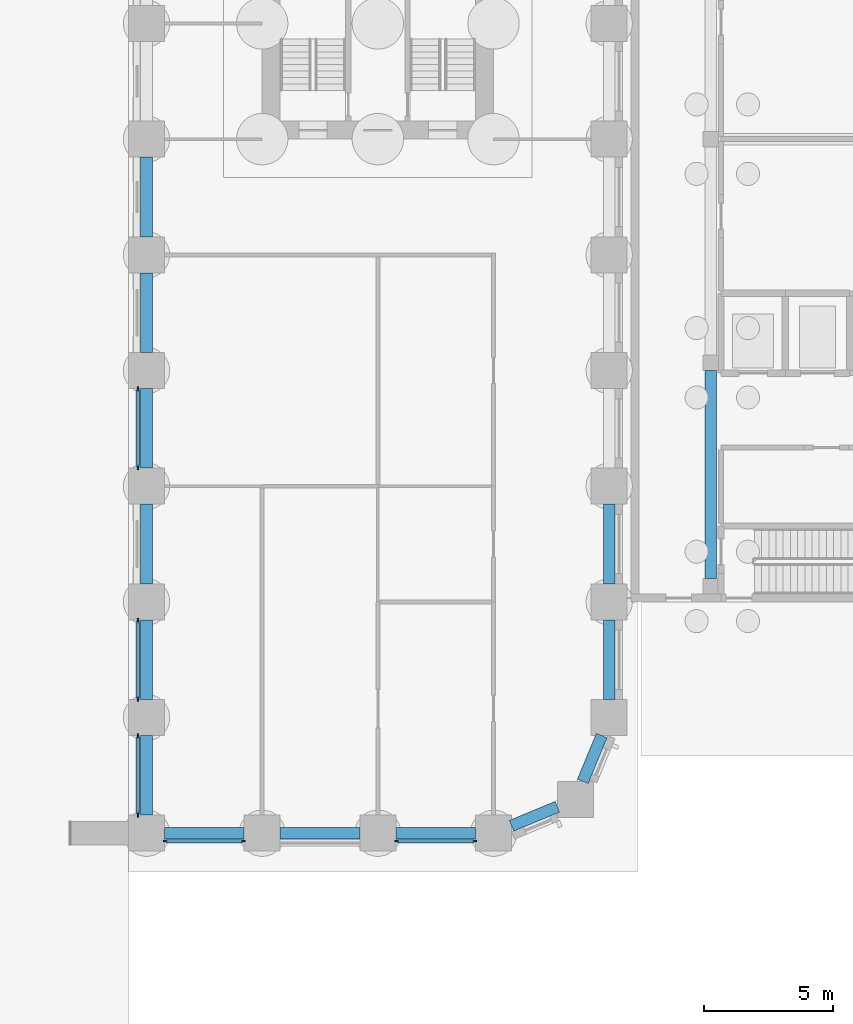
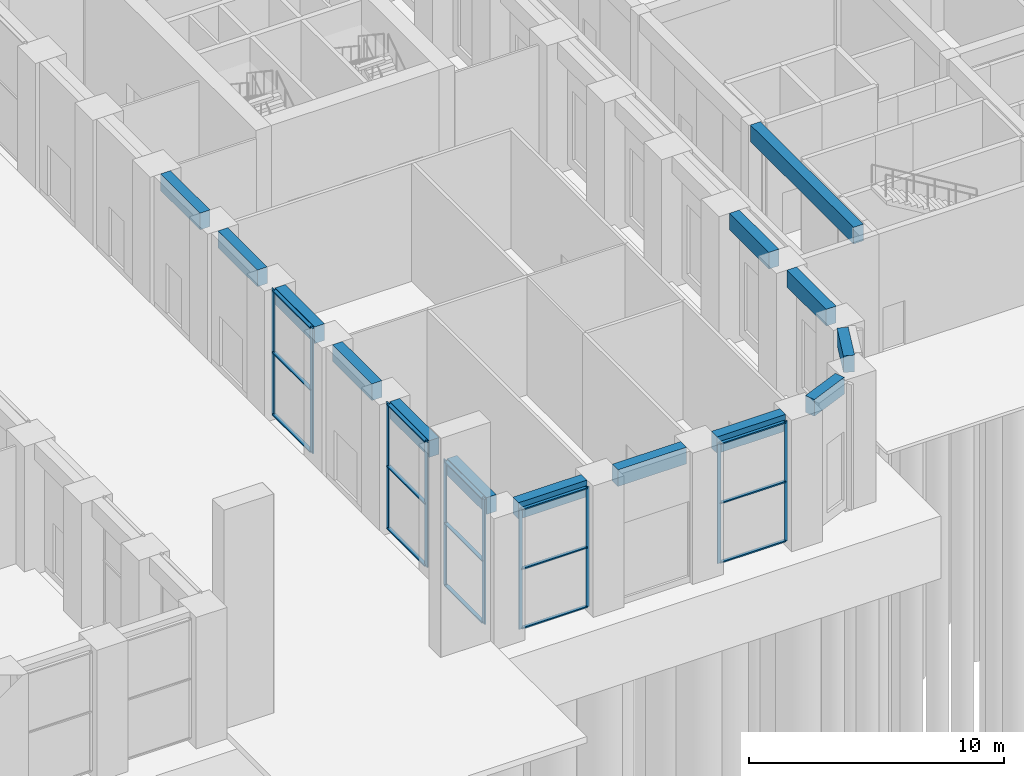
# One storey, part 4 of 31: 25 members, 14 beams, 5 elements without a shape of their own.
"""IFC4 building model written with IfcOpenShell, lengths in metres."""

from ifc_helpers import new_model, si_unit, direction, frame, origin, origin_2d, place, context, subcontext, project, spatial, rectangle, extrude, material, material_profile, profile_set, type_object, element, aggregate, save


model = new_model("IFC4")

# Units and contexts
model_context = context("Model", 3, precision=1e-05, world=origin(), true_north=direction((0.0, 1.0)))
body_context = subcontext(model_context, "Body", "Model", "MODEL_VIEW")
ifc_project = project(units=[si_unit("LENGTHUNIT", "METRE"), si_unit("AREAUNIT", "SQUARE_METRE"), si_unit("VOLUMEUNIT", "CUBIC_METRE"), si_unit("PLANEANGLEUNIT", "RADIAN"), si_unit("MASSUNIT", "GRAM", prefix="KILO")], contexts=[model_context])

# Site, building, storey
site_placement = place(None, origin())
site = spatial("IfcSite", under=ifc_project, at=site_placement, CompositionType="ELEMENT")
building_placement = place(site_placement, origin())
building = spatial("IfcBuilding", under=site, at=building_placement, Name="Girih Gate Residences", CompositionType="ELEMENT")
storey_placement = place(building_placement, origin())
storey = spatial("IfcBuildingStorey", under=building, at=storey_placement, Name="L00", CompositionType="ELEMENT", Elevation=0.0)

# Curtain wall, members
ifc_material_1 = material(Name="Aluminium curtain wall frame", Category="aluminium")
curtain_wall_type_1 = type_object("IfcCurtainWallType", Name="Curtain wall CW-6 street frontage glazing", PredefinedType="NOTDEFINED", material=ifc_material_1)
curtain_wall_1_placement = place(storey_placement, origin())
curtain_wall_1 = element("IfcCurtainWall", 1, at=curtain_wall_1_placement, inside=storey, type_object=curtain_wall_type_1, Name="CW-6 Street frontage glazing S0315_0000.0", PredefinedType="NOTDEFINED")
ifc_material_profile_1 = material_profile(ifc_material_1, rectangle(XDim=0.06005859375, YDim=0.159912109375, at=origin_2d()))
ifc_profile_set_1 = profile_set([ifc_material_profile_1], Name="Aluminium curtain wall frame")
member_type_1 = type_object("IfcMemberType", Name="Curtain wall mullion 60x160", PredefinedType="MULLION", material=ifc_profile_set_1)
member_1_placement = place(storey_placement, frame((32.22998046875, -0.304931640625, 0.0), z_axis=(0.0, 0.0, 1.0), x_axis=(0.0, 1.0, 0.0)))
member_1 = element("IfcMember", 2, at=member_1_placement, type_object=member_type_1, Name="CW-6 mullion 1", PredefinedType="MULLION", context=body_context, shape_type="SweptSolid", body=[
    extrude(rectangle(XDim=0.06005859375, YDim=0.159912109375, at=origin_2d()), origin(), (0.0, 0.0, 1.0), 5.75),
])
member_2_placement = place(storey_placement, frame((35.27001953125, -0.304931640625, 0.0), z_axis=(0.0, 0.0, 1.0), x_axis=(0.0, 1.0, 0.0)))
member_2 = element("IfcMember", 3, at=member_2_placement, type_object=member_type_1, Name="CW-6 mullion 2", PredefinedType="MULLION", context=body_context, shape_type="SweptSolid", body=[
    extrude(rectangle(XDim=0.06005859375, YDim=0.159912109375, at=origin_2d()), origin(), (0.0, 0.0, 1.0), 5.75),
])

curtain_wall_2_placement = place(storey_placement, origin())
curtain_wall_2 = element("IfcCurtainWall", 4, at=curtain_wall_2_placement, inside=storey, type_object=curtain_wall_type_1, Name="CW-6 Street frontage glazing S0315_0000.2", PredefinedType="NOTDEFINED")
member_3_placement = place(storey_placement, frame((41.22998046875, -0.304931640625, 0.0), z_axis=(0.0, 0.0, 1.0), x_axis=(0.0, 1.0, 0.0)))
member_3 = element("IfcMember", 5, at=member_3_placement, type_object=member_type_1, Name="CW-6 mullion 1", PredefinedType="MULLION", context=body_context, shape_type="SweptSolid", body=[
    extrude(rectangle(XDim=0.06005859375, YDim=0.159912109375, at=origin_2d()), origin(), (0.0, 0.0, 1.0), 5.75),
])
member_4_placement = place(storey_placement, frame((44.27001953125, -0.304931640625, 0.0), z_axis=(0.0, 0.0, 1.0), x_axis=(0.0, 1.0, 0.0)))
member_4 = element("IfcMember", 6, at=member_4_placement, type_object=member_type_1, Name="CW-6 mullion 2", PredefinedType="MULLION", context=body_context, shape_type="SweptSolid", body=[
    extrude(rectangle(XDim=0.06005859375, YDim=0.159912109375, at=origin_2d()), origin(), (0.0, 0.0, 1.0), 5.75),
])

curtain_wall_type_2 = type_object("IfcCurtainWallType", Name="Curtain wall CW-1 arcade glazing", PredefinedType="NOTDEFINED", material=ifc_material_1)
curtain_wall_3_placement = place(storey_placement, origin())
curtain_wall_3 = element("IfcCurtainWall", 7, at=curtain_wall_3_placement, inside=storey, type_object=curtain_wall_type_2, Name="CW-1 Arcade glazing W0315_0495.7", PredefinedType="NOTDEFINED")
ifc_material_profile_2 = material_profile(ifc_material_1, rectangle(XDim=0.06005859375, YDim=0.199951171875, at=origin_2d()))
ifc_profile_set_2 = profile_set([ifc_material_profile_2], Name="Aluminium curtain wall frame")
member_type_2 = type_object("IfcMemberType", Name="Curtain wall mullion 60x200", PredefinedType="MULLION", material=ifc_profile_set_2)
member_5_placement = place(storey_placement, frame((31.175048828125, 17.27001953125, 0.0), z_axis=(0.0, 0.0, 1.0), x_axis=(1.0, 0.0, 0.0)))
member_5 = element("IfcMember", 8, at=member_5_placement, type_object=member_type_2, Name="CW-1 mullion 1", PredefinedType="MULLION", context=body_context, shape_type="SweptSolid", body=[
    extrude(rectangle(XDim=0.06005859375, YDim=0.199951171875, at=origin_2d()), origin(), (0.0, 0.0, 1.0), 6.0),
])
member_6_placement = place(storey_placement, frame((31.175048828125, 14.22998046875, 0.0), z_axis=(0.0, 0.0, 1.0), x_axis=(1.0, 0.0, 0.0)))
member_6 = element("IfcMember", 9, at=member_6_placement, type_object=member_type_2, Name="CW-1 mullion 2", PredefinedType="MULLION", context=body_context, shape_type="SweptSolid", body=[
    extrude(rectangle(XDim=0.06005859375, YDim=0.199951171875, at=origin_2d()), origin(), (0.0, 0.0, 1.0), 6.0),
])

curtain_wall_4_placement = place(storey_placement, origin())
curtain_wall_4 = element("IfcCurtainWall", 10, at=curtain_wall_4_placement, inside=storey, type_object=curtain_wall_type_2, Name="CW-1 Arcade glazing W0315_0495.9", PredefinedType="NOTDEFINED")
member_7_placement = place(storey_placement, frame((31.175048828125, 8.27001953125, 0.0), z_axis=(0.0, 0.0, 1.0), x_axis=(1.0, 0.0, 0.0)))
member_7 = element("IfcMember", 11, at=member_7_placement, type_object=member_type_2, Name="CW-1 mullion 1", PredefinedType="MULLION", context=body_context, shape_type="SweptSolid", body=[
    extrude(rectangle(XDim=0.06005859375, YDim=0.199951171875, at=origin_2d()), origin(), (0.0, 0.0, 1.0), 6.0),
])
member_8_placement = place(storey_placement, frame((31.175048828125, 5.22998046875, 0.0), z_axis=(0.0, 0.0, 1.0), x_axis=(1.0, 0.0, 0.0)))
member_8 = element("IfcMember", 12, at=member_8_placement, type_object=member_type_2, Name="CW-1 mullion 2", PredefinedType="MULLION", context=body_context, shape_type="SweptSolid", body=[
    extrude(rectangle(XDim=0.06005859375, YDim=0.199951171875, at=origin_2d()), origin(), (0.0, 0.0, 1.0), 6.0),
])

curtain_wall_5_placement = place(storey_placement, origin())
curtain_wall_5 = element("IfcCurtainWall", 13, at=curtain_wall_5_placement, inside=storey, type_object=curtain_wall_type_2, Name="CW-1 Arcade glazing W0315_0495.10", PredefinedType="NOTDEFINED")
member_9_placement = place(storey_placement, frame((31.175048828125, 3.77001953125, 0.0), z_axis=(0.0, 0.0, 1.0), x_axis=(1.0, 0.0, 0.0)))
member_9 = element("IfcMember", 14, at=member_9_placement, type_object=member_type_2, Name="CW-1 mullion 1", PredefinedType="MULLION", context=body_context, shape_type="SweptSolid", body=[
    extrude(rectangle(XDim=0.06005859375, YDim=0.199951171875, at=origin_2d()), origin(), (0.0, 0.0, 1.0), 6.0),
])
member_10_placement = place(storey_placement, frame((31.175048828125, 0.72998046875, 0.0), z_axis=(0.0, 0.0, 1.0), x_axis=(1.0, 0.0, 0.0)))
member_10 = element("IfcMember", 15, at=member_10_placement, type_object=member_type_2, Name="CW-1 mullion 2", PredefinedType="MULLION", context=body_context, shape_type="SweptSolid", body=[
    extrude(rectangle(XDim=0.06005859375, YDim=0.199951171875, at=origin_2d()), origin(), (0.0, 0.0, 1.0), 6.0),
])

# Member
ifc_material_profile_3 = material_profile(ifc_material_1, rectangle(XDim=0.139892578125, YDim=0.06005859375, at=origin_2d()))
ifc_profile_set_3 = profile_set([ifc_material_profile_3], Name="Aluminium curtain wall frame")
member_type_3 = type_object("IfcMemberType", Name="Curtain wall transom 60x140", PredefinedType="USERDEFINED", material=ifc_profile_set_3)
member_11_placement = place(storey_placement, frame((32.260009765625, -0.304931640625, 0.030029296875), z_axis=(1.0, 0.0, 0.0), x_axis=(0.0, 1.0, 0.0)))
member_11 = element("IfcMember", 16, at=member_11_placement, type_object=member_type_3, Name="CW-6 transom 1.1", ObjectType="TRANSOM", PredefinedType="USERDEFINED", context=body_context, shape_type="SweptSolid", body=[
    extrude(rectangle(XDim=0.139892578125, YDim=0.06005859375, at=origin_2d()), origin(), (0.0, 0.0, 1.0), 2.97998046875),
])

member_12_placement = place(storey_placement, frame((32.260009765625, -0.304931640625, 2.875), z_axis=(1.0, 0.0, 0.0), x_axis=(0.0, 1.0, 0.0)))
member_12 = element("IfcMember", 17, at=member_12_placement, type_object=member_type_3, Name="CW-6 transom 1.2", ObjectType="TRANSOM", PredefinedType="USERDEFINED", context=body_context, shape_type="SweptSolid", body=[
    extrude(rectangle(XDim=0.139892578125, YDim=0.06005859375, at=origin_2d()), origin(), (0.0, 0.0, 1.0), 2.97998046875),
])

member_13_placement = place(storey_placement, frame((32.260009765625, -0.304931640625, 5.719970703125), z_axis=(1.0, 0.0, 0.0), x_axis=(0.0, 1.0, 0.0)))
member_13 = element("IfcMember", 18, at=member_13_placement, type_object=member_type_3, Name="CW-6 transom 1.3", ObjectType="TRANSOM", PredefinedType="USERDEFINED", context=body_context, shape_type="SweptSolid", body=[
    extrude(rectangle(XDim=0.139892578125, YDim=0.06005859375, at=origin_2d()), origin(), (0.0, 0.0, 1.0), 2.97998046875),
])

aggregate(curtain_wall_1, [member_1, member_2, member_11, member_12, member_13])

member_14_placement = place(storey_placement, frame((41.260009765625, -0.304931640625, 0.030029296875), z_axis=(1.0, 0.0, 0.0), x_axis=(0.0, 1.0, 0.0)))
member_14 = element("IfcMember", 19, at=member_14_placement, type_object=member_type_3, Name="CW-6 transom 1.1", ObjectType="TRANSOM", PredefinedType="USERDEFINED", context=body_context, shape_type="SweptSolid", body=[
    extrude(rectangle(XDim=0.139892578125, YDim=0.06005859375, at=origin_2d()), origin(), (0.0, 0.0, 1.0), 2.97998046875),
])

member_15_placement = place(storey_placement, frame((41.260009765625, -0.304931640625, 2.875), z_axis=(1.0, 0.0, 0.0), x_axis=(0.0, 1.0, 0.0)))
member_15 = element("IfcMember", 20, at=member_15_placement, type_object=member_type_3, Name="CW-6 transom 1.2", ObjectType="TRANSOM", PredefinedType="USERDEFINED", context=body_context, shape_type="SweptSolid", body=[
    extrude(rectangle(XDim=0.139892578125, YDim=0.06005859375, at=origin_2d()), origin(), (0.0, 0.0, 1.0), 2.97998046875),
])

member_16_placement = place(storey_placement, frame((41.260009765625, -0.304931640625, 5.719970703125), z_axis=(1.0, 0.0, 0.0), x_axis=(0.0, 1.0, 0.0)))
member_16 = element("IfcMember", 21, at=member_16_placement, type_object=member_type_3, Name="CW-6 transom 1.3", ObjectType="TRANSOM", PredefinedType="USERDEFINED", context=body_context, shape_type="SweptSolid", body=[
    extrude(rectangle(XDim=0.139892578125, YDim=0.06005859375, at=origin_2d()), origin(), (0.0, 0.0, 1.0), 2.97998046875),
])

aggregate(curtain_wall_2, [member_3, member_4, member_14, member_15, member_16])

ifc_material_profile_4 = material_profile(ifc_material_1, rectangle(XDim=0.159912109375, YDim=0.06005859375, at=origin_2d()))
ifc_profile_set_4 = profile_set([ifc_material_profile_4], Name="Aluminium curtain wall frame")
member_type_4 = type_object("IfcMemberType", Name="Curtain wall transom 60x160", PredefinedType="USERDEFINED", material=ifc_profile_set_4)
member_17_placement = place(storey_placement, frame((31.175048828125, 17.239990234375, 0.030029296875), z_axis=(0.0, -1.0, 0.0), x_axis=(1.0, 0.0, 0.0)))
member_17 = element("IfcMember", 22, at=member_17_placement, type_object=member_type_4, Name="CW-1 transom 1.1", ObjectType="TRANSOM", PredefinedType="USERDEFINED", context=body_context, shape_type="SweptSolid", body=[
    extrude(rectangle(XDim=0.159912109375, YDim=0.06005859375, at=origin_2d()), origin(), (0.0, 0.0, 1.0), 2.97998046875),
])

member_18_placement = place(storey_placement, frame((31.175048828125, 17.239990234375, 3.0), z_axis=(0.0, -1.0, 0.0), x_axis=(1.0, 0.0, 0.0)))
member_18 = element("IfcMember", 23, at=member_18_placement, type_object=member_type_4, Name="CW-1 transom 1.2", ObjectType="TRANSOM", PredefinedType="USERDEFINED", context=body_context, shape_type="SweptSolid", body=[
    extrude(rectangle(XDim=0.159912109375, YDim=0.06005859375, at=origin_2d()), origin(), (0.0, 0.0, 1.0), 2.97998046875),
])

member_19_placement = place(storey_placement, frame((31.175048828125, 17.239990234375, 5.969970703125), z_axis=(0.0, -1.0, 0.0), x_axis=(1.0, 0.0, 0.0)))
member_19 = element("IfcMember", 24, at=member_19_placement, type_object=member_type_4, Name="CW-1 transom 1.3", ObjectType="TRANSOM", PredefinedType="USERDEFINED", context=body_context, shape_type="SweptSolid", body=[
    extrude(rectangle(XDim=0.159912109375, YDim=0.06005859375, at=origin_2d()), origin(), (0.0, 0.0, 1.0), 2.97998046875),
])

aggregate(curtain_wall_3, [member_5, member_6, member_17, member_18, member_19])

member_20_placement = place(storey_placement, frame((31.175048828125, 8.239990234375, 0.030029296875), z_axis=(0.0, -1.0, 0.0), x_axis=(1.0, 0.0, 0.0)))
member_20 = element("IfcMember", 25, at=member_20_placement, type_object=member_type_4, Name="CW-1 transom 1.1", ObjectType="TRANSOM", PredefinedType="USERDEFINED", context=body_context, shape_type="SweptSolid", body=[
    extrude(rectangle(XDim=0.159912109375, YDim=0.06005859375, at=origin_2d()), origin(), (0.0, 0.0, 1.0), 2.97998046875),
])

member_21_placement = place(storey_placement, frame((31.175048828125, 8.239990234375, 3.0), z_axis=(0.0, -1.0, 0.0), x_axis=(1.0, 0.0, 0.0)))
member_21 = element("IfcMember", 26, at=member_21_placement, type_object=member_type_4, Name="CW-1 transom 1.2", ObjectType="TRANSOM", PredefinedType="USERDEFINED", context=body_context, shape_type="SweptSolid", body=[
    extrude(rectangle(XDim=0.159912109375, YDim=0.06005859375, at=origin_2d()), origin(), (0.0, 0.0, 1.0), 2.97998046875),
])

member_22_placement = place(storey_placement, frame((31.175048828125, 8.239990234375, 5.969970703125), z_axis=(0.0, -1.0, 0.0), x_axis=(1.0, 0.0, 0.0)))
member_22 = element("IfcMember", 27, at=member_22_placement, type_object=member_type_4, Name="CW-1 transom 1.3", ObjectType="TRANSOM", PredefinedType="USERDEFINED", context=body_context, shape_type="SweptSolid", body=[
    extrude(rectangle(XDim=0.159912109375, YDim=0.06005859375, at=origin_2d()), origin(), (0.0, 0.0, 1.0), 2.97998046875),
])

aggregate(curtain_wall_4, [member_7, member_8, member_20, member_21, member_22])

member_23_placement = place(storey_placement, frame((31.175048828125, 3.739990234375, 0.030029296875), z_axis=(0.0, -1.0, 0.0), x_axis=(1.0, 0.0, 0.0)))
member_23 = element("IfcMember", 28, at=member_23_placement, type_object=member_type_4, Name="CW-1 transom 1.1", ObjectType="TRANSOM", PredefinedType="USERDEFINED", context=body_context, shape_type="SweptSolid", body=[
    extrude(rectangle(XDim=0.159912109375, YDim=0.06005859375, at=origin_2d()), origin(), (0.0, 0.0, 1.0), 2.97998046875),
])

member_24_placement = place(storey_placement, frame((31.175048828125, 3.739990234375, 3.0), z_axis=(0.0, -1.0, 0.0), x_axis=(1.0, 0.0, 0.0)))
member_24 = element("IfcMember", 29, at=member_24_placement, type_object=member_type_4, Name="CW-1 transom 1.2", ObjectType="TRANSOM", PredefinedType="USERDEFINED", context=body_context, shape_type="SweptSolid", body=[
    extrude(rectangle(XDim=0.159912109375, YDim=0.06005859375, at=origin_2d()), origin(), (0.0, 0.0, 1.0), 2.97998046875),
])

member_25_placement = place(storey_placement, frame((31.175048828125, 3.739990234375, 5.969970703125), z_axis=(0.0, -1.0, 0.0), x_axis=(1.0, 0.0, 0.0)))
member_25 = element("IfcMember", 30, at=member_25_placement, type_object=member_type_4, Name="CW-1 transom 1.3", ObjectType="TRANSOM", PredefinedType="USERDEFINED", context=body_context, shape_type="SweptSolid", body=[
    extrude(rectangle(XDim=0.159912109375, YDim=0.06005859375, at=origin_2d()), origin(), (0.0, 0.0, 1.0), 2.97998046875),
])

aggregate(curtain_wall_5, [member_9, member_10, member_23, member_24, member_25])

# Beams
ifc_material_2 = material(Name="Concrete C40/50", Category="concrete")
ifc_material_profile_5 = material_profile(ifc_material_2, rectangle(XDim=0.449951171875, YDim=0.800048828125, at=origin_2d()))
ifc_profile_set_5 = profile_set([ifc_material_profile_5], Name="Concrete C40/50")
beam_type_1 = type_object("IfcBeamType", Name="HC Beam 450x800 C40/50", PredefinedType="BEAM", material=ifc_profile_set_5)
beam_placement = place(storey_placement, frame((53.449951171875, 9.89990234375, 5.300048828125), z_axis=(0.0, 1.0, 0.0), x_axis=(-1.0, 0.0, 0.0)))
element("IfcBeam", 31, at=beam_placement, inside=storey, type_object=beam_type_1, Name="L00 beam H1.1", PredefinedType="BEAM", context=body_context, shape_type="SweptSolid", body=[
    extrude(rectangle(XDim=0.449951171875, YDim=0.800048828125, at=origin_2d()), origin(), (0.0, 0.0, 1.0), 8.10009765625),
])
ifc_material_3 = material(Name="Concrete C60/75", Category="concrete")
ifc_material_profile_6 = material_profile(ifc_material_3, rectangle(XDim=0.449951171875, YDim=0.800048828125, at=origin_2d()))
ifc_profile_set_6 = profile_set([ifc_material_profile_6], Name="Concrete C60/75")
beam_type_2 = type_object("IfcBeamType", Name="Spandrel girder RC 450x800 Concrete C60/75", PredefinedType="BEAM", material=ifc_profile_set_6)
for number, where, z_axis, x_axis, name in (
    (32, (32.199951171875, 0.0, 5.60009765625), (1.0, 0.0, 0.0), (0.0, 1.0, 0.0), "Spandrel girder SP-P8A-P9A L00"),
    (33, (36.699951171875, 0.0, 5.60009765625), (1.0, 0.0, 0.0), (0.0, 1.0, 0.0), "Spandrel girder SP-P9A-P10A L00"),
    (34, (41.199951171875, 0.0, 5.60009765625), (1.0, 0.0, 0.0), (0.0, 1.0, 0.0), "Spandrel girder SP-P10A-P11A L00"),
):
    element("IfcBeam", number, at=place(storey_placement, frame(where, z_axis=z_axis, x_axis=x_axis)), inside=storey, type_object=beam_type_2, Name=name, PredefinedType="BEAM", context=body_context, shape_type="SweptSolid", body=[
        extrude(rectangle(XDim=0.449951171875, YDim=0.800048828125, at=origin_2d()), origin(), (0.0, 0.0, 1.0), 3.10009765625),
    ])
for number, where, z_axis, x_axis, name in (
    (35, (45.699951171875, 0.2900390625, 5.60009765625), (0.923894961945, 0.382646180293, 0.0), (-0.382646180293, 0.923894961945, 0.0), "Spandrel girder SP-P11A-P12ANW L00"),
    (36, (48.471923828125, 2.01806640625, 5.60009765625), (0.382646180293, 0.923894961945, 0.0), (-0.923894961945, 0.382646180293, 0.0), "Spandrel girder SP-P12ANW-P12B L00"),
):
    element("IfcBeam", number, at=place(storey_placement, frame(where, z_axis=z_axis, x_axis=x_axis)), inside=storey, type_object=beam_type_2, Name=name, PredefinedType="BEAM", context=body_context, shape_type="SweptSolid", body=[
        extrude(rectangle(XDim=0.449951171875, YDim=0.800048828125, at=origin_2d()), origin(), (0.0, 0.0, 1.0), 1.9287109375),
    ])
for number, where, z_axis, x_axis, name in (
    (37, (49.5, 5.199951171875, 5.60009765625), (0.0, 1.0, 0.0), (-1.0, 0.0, 0.0), "Spandrel girder SP-P12B-P12C L00"),
    (38, (49.5, 9.699951171875, 5.60009765625), (0.0, 1.0, 0.0), (-1.0, 0.0, 0.0), "Spandrel girder SP-P12C-P12D L00"),
    (39, (31.5, 26.300048828125, 5.60009765625), (0.0, -1.0, 0.0), (1.0, 0.0, 0.0), "Spandrel girder SP-P8G-P8F L00"),
    (40, (31.5, 21.800048828125, 5.60009765625), (0.0, -1.0, 0.0), (1.0, 0.0, 0.0), "Spandrel girder SP-P8F-P8E L00"),
    (41, (31.5, 17.300048828125, 5.60009765625), (0.0, -1.0, 0.0), (1.0, 0.0, 0.0), "Spandrel girder SP-P8E-P8D L00"),
    (42, (31.5, 12.800048828125, 5.60009765625), (0.0, -1.0, 0.0), (1.0, 0.0, 0.0), "Spandrel girder SP-P8D-P8C L00"),
    (43, (31.5, 8.300048828125, 5.60009765625), (0.0, -1.0, 0.0), (1.0, 0.0, 0.0), "Spandrel girder SP-P8C-P8B L00"),
    (44, (31.5, 3.800048828125, 5.60009765625), (0.0, -1.0, 0.0), (1.0, 0.0, 0.0), "Spandrel girder SP-P8B-P8A L00"),
):
    element("IfcBeam", number, at=place(storey_placement, frame(where, z_axis=z_axis, x_axis=x_axis)), inside=storey, type_object=beam_type_2, Name=name, PredefinedType="BEAM", context=body_context, shape_type="SweptSolid", body=[
        extrude(rectangle(XDim=0.449951171875, YDim=0.800048828125, at=origin_2d()), origin(), (0.0, 0.0, 1.0), 3.10009765625),
    ])

save(model, "model.ifc")
